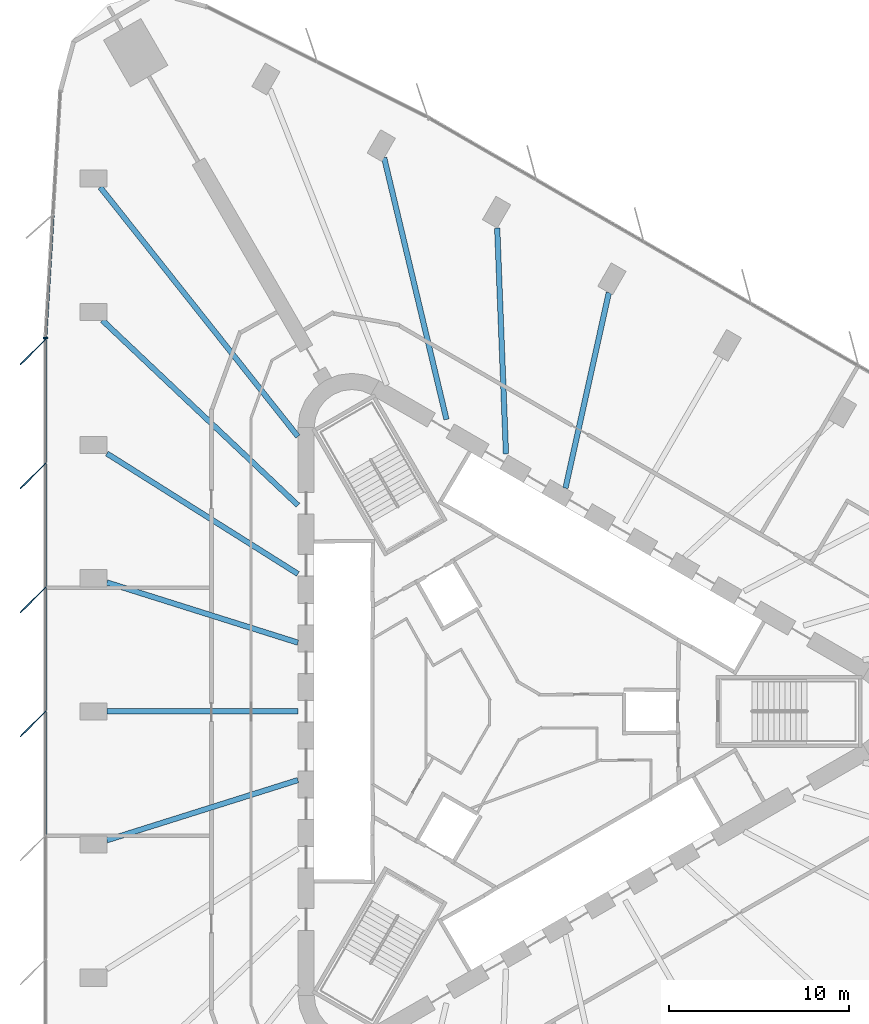
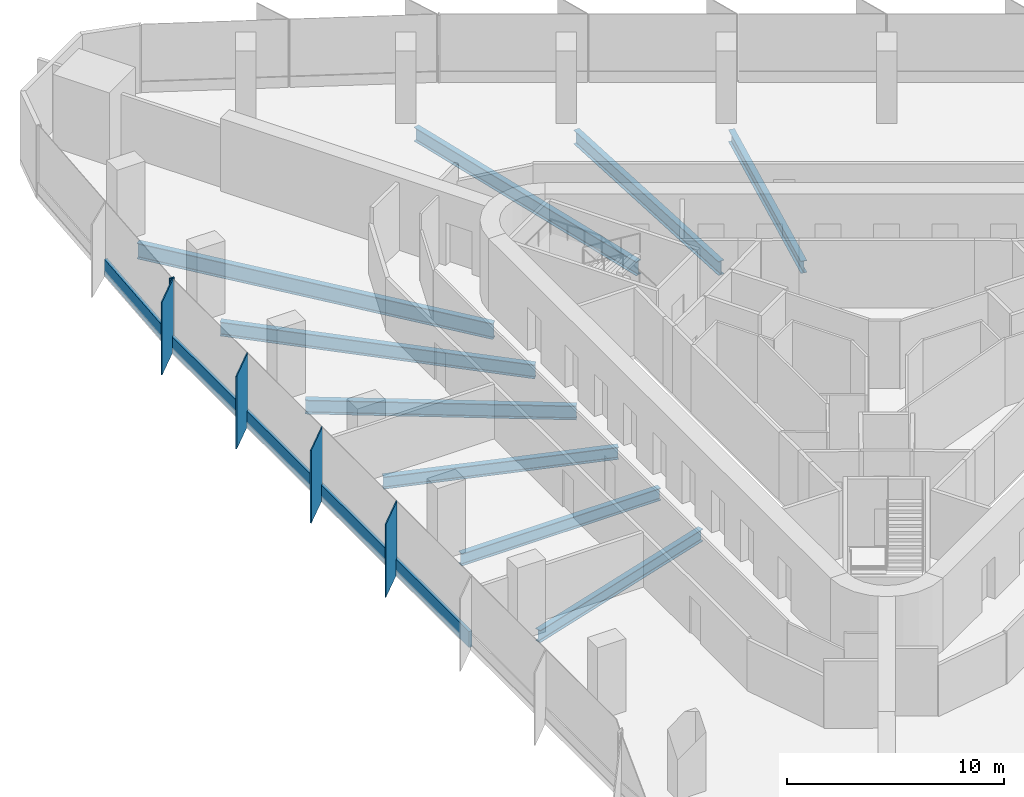
# One storey, part 4 of 14: 10 members, 9 beams, 2 elements without a shape of their own.
"""IFC4 building model written with IfcOpenShell, lengths in metres."""

import ifcopenshell
import ifcopenshell.guid

model = None  # the IFC model being written
_history = None  # IfcOwnerHistory: only IFC2X3 demands one
_inside = {}  # id of a spatial element -> (the spatial element, [elements in it])
_under = {}  # id of a project, library or spatial element -> (it, [spatial elements below it])
_declared = {}  # id of a project -> (the project, [libraries it declares])
_typed = {}  # id of a type object -> (the type object, [elements of that type])
_made_of = {}  # id of a material, layer set ... -> (it, [elements and type objects made of it])


def new_model(schema):
    """Start an empty IFC model of exactly this schema.

    Asked for "IFC4X3", IfcOpenShell would pick the latest addendum, in which some entities
    have other attributes; the version numbers below select the first issue.
    IFC2X3 requires an IfcOwnerHistory on every rooted entity: one is made here for all.
    """
    global model, _history
    if schema == "IFC4X3":
        model = ifcopenshell.file(schema_version=(4, 3, 0, 0))
    else:
        model = ifcopenshell.file(schema=schema)
    _inside.clear()
    _under.clear()
    _declared.clear()
    _typed.clear()
    _made_of.clear()
    _history = None
    if model.schema == "IFC2X3":
        org = make("IfcOrganization", Name="unknown")
        user = make(
            "IfcPersonAndOrganization",
            ThePerson=make("IfcPerson", FamilyName="unknown"),
            TheOrganization=org,
        )
        app = make(
            "IfcApplication",
            ApplicationDeveloper=org,
            Version="unknown",
            ApplicationFullName="unknown",
            ApplicationIdentifier="unknown",
        )
        _history = make(
            "IfcOwnerHistory",
            OwningUser=user,
            OwningApplication=app,
            ChangeAction="ADDED",
            CreationDate=0,
        )
    return model


def make(cls, **values):
    """One entity of the class cls with the attributes given. An attribute that is None is left unset."""
    return model.create_entity(
        cls, **{name: value for name, value in values.items() if value is not None}
    )


def rooted(cls, **values):
    """An entity with a GlobalId (a new one), such as an element, a storey or a relation."""
    return make(cls, GlobalId=ifcopenshell.guid.new(), OwnerHistory=_history, **values)


def si_unit(unit_type, name, prefix=None):
    """IfcSIUnit, for example si_unit("LENGTHUNIT", "METRE", prefix="MILLI")."""
    return make("IfcSIUnit", UnitType=unit_type, Prefix=prefix, Name=name)


def assignment(units):
    """IfcUnitAssignment: the units of a project."""
    return None if units is None else make("IfcUnitAssignment", Units=units)


def point(xyz):
    """IfcCartesianPoint."""
    return None if xyz is None else make("IfcCartesianPoint", Coordinates=xyz)


def direction(xyz):
    """IfcDirection."""
    return None if xyz is None else make("IfcDirection", DirectionRatios=xyz)


def frame(location, z_axis=None, x_axis=None):
    """IfcAxis2Placement3D, a coordinate frame: its origin and axes. An axis left out is left unset."""
    return make(
        "IfcAxis2Placement3D",
        Location=point(location),
        Axis=direction(z_axis),
        RefDirection=direction(x_axis),
    )


def frame_2d(location, x_axis=None):
    """IfcAxis2Placement2D, a coordinate frame in the plane: its origin and x axis."""
    return make(
        "IfcAxis2Placement2D", Location=point(location), RefDirection=direction(x_axis)
    )


def origin():
    """The frame at (0, 0, 0) with its axes left unset."""
    return frame((0.0, 0.0, 0.0))


def origin_2d():
    """The frame at (0, 0) in the plane with its x axis left unset."""
    return frame_2d((0.0, 0.0))


def place(relative_to, where):
    """IfcLocalPlacement: puts the frame where relative to a parent placement (None: the world)."""
    return make(
        "IfcLocalPlacement", PlacementRelTo=relative_to, RelativePlacement=where
    )


def context(
    kind, dimensions, precision=None, world=None, true_north=None, identifier=None
):
    """IfcGeometricRepresentationContext, for example the 3D "Model" context."""
    return make(
        "IfcGeometricRepresentationContext",
        ContextIdentifier=identifier,
        ContextType=kind,
        CoordinateSpaceDimension=dimensions,
        Precision=precision,
        WorldCoordinateSystem=world,
        TrueNorth=true_north,
    )


def subcontext(parent, identifier, kind, view, scale=None):
    """IfcGeometricRepresentationSubContext, for example "Body" below "Model"."""
    return make(
        "IfcGeometricRepresentationSubContext",
        ContextIdentifier=identifier,
        ContextType=kind,
        ParentContext=parent,
        TargetScale=scale,
        TargetView=view,
    )


def project(units=None, contexts=None):
    """IfcProject with its units and contexts."""
    return rooted(
        "IfcProject",
        Name="project",
        RepresentationContexts=contexts,
        UnitsInContext=assignment(units),
    )


def spatial(cls, under=None, at=None, **own):
    """A site, building, storey or space (cls), placed at a placement, below another one or the project."""
    s = rooted(cls, ObjectPlacement=at, **own)
    if under is not None:
        _under.setdefault(under.id(), (under, []))[1].append(s)
    return s


def profile(cls, at=None, kind="AREA", **sizes):
    """A parametric profile (cls). Its sizes go by their IFC names, for example OverallWidth=200.0."""
    return make(cls, ProfileType=kind, Position=at, **sizes)


def rectangle(**sizes):
    """IfcRectangleProfileDef."""
    return profile("IfcRectangleProfileDef", **sizes)


def i_section(**sizes):
    """IfcIShapeProfileDef."""
    return profile("IfcIShapeProfileDef", **sizes)


def extrude(swept, where, along, depth):
    """IfcExtrudedAreaSolid: the profile swept, set in the frame where, extruded along a direction by depth."""
    return make(
        "IfcExtrudedAreaSolid",
        SweptArea=swept,
        Position=where,
        ExtrudedDirection=direction(along),
        Depth=depth,
    )


def shape(context_of_items, identifier, shape_type, items):
    """IfcShapeRepresentation: the items that make up one representation, for example the "Body"."""
    return make(
        "IfcShapeRepresentation",
        ContextOfItems=context_of_items,
        RepresentationIdentifier=identifier,
        RepresentationType=shape_type,
        Items=items,
    )


def material(Name=None, Category=None):
    """IfcMaterial."""
    return make("IfcMaterial", Name=Name, Category=Category)


def material_profile(
    of_material, cross_section, Name=None, Category=None, Priority=None
):
    """IfcMaterialProfile: a cross section and its material."""
    return make(
        "IfcMaterialProfile",
        Name=Name,
        Material=of_material,
        Profile=cross_section,
        Priority=Priority,
        Category=Category,
    )


def profile_set(profiles, Name=None, composite=None):
    """IfcMaterialProfileSet."""
    return make(
        "IfcMaterialProfileSet",
        Name=Name,
        MaterialProfiles=profiles,
        CompositeProfile=composite,
    )


def made_of(thing, what):
    """Note that an element or type object is made of a material, layer set ...; save() writes the relation."""
    if what is not None:
        _made_of.setdefault(what.id(), (what, []))[1].append(thing)
    return thing


def type_object(cls, material=None, **own):
    """A type object (cls), such as IfcWallType, which elements share."""
    return made_of(rooted(cls, **own), material)


def element(
    cls,
    number,
    at=None,
    inside=None,
    cuts=None,
    type_object=None,
    material=None,
    context=None,
    identifier="Body",
    shape_type=None,
    held_by="IfcProductDefinitionShape",
    body=None,
    shapes=None,
    **own,
):
    """One element of the class cls, such as IfcWall. Its Tag is "e" and its number.

    at: its placement. inside: the storey or other place that contains it. cuts: it is an
    opening in that element (IfcRelVoidsElement). A single representation is given by context,
    identifier, shape_type and body (its items); several are given by shapes. held_by: the class
    of the entity that holds the representations. save() writes the other relations.
    """
    e = rooted(cls, Tag="e%d" % number, ObjectPlacement=at, **own)
    if body is not None:
        shapes = [shape(context, identifier, shape_type, body)]
    if shapes is not None:
        e.Representation = make(held_by, Representations=shapes)
    if inside is not None:
        _inside.setdefault(inside.id(), (inside, []))[1].append(e)
    if cuts is not None:
        rooted(
            "IfcRelVoidsElement", RelatingBuildingElement=cuts, RelatedOpeningElement=e
        )
    if type_object is not None:
        _typed.setdefault(type_object.id(), (type_object, []))[1].append(e)
    return made_of(e, material)


def aggregate(whole, parts):
    """IfcRelAggregates: a whole, such as a stair, and the parts it consists of."""
    return rooted("IfcRelAggregates", RelatingObject=whole, RelatedObjects=parts)


def save(model, path):
    """Write the relations noted so far, then the file.

    IfcRelAggregates (storeys below a building ...), IfcRelContainedInSpatialStructure (elements
    in a storey), IfcRelDefinesByType, IfcRelAssociatesMaterial and IfcRelDeclares: one each for
    every whole, place, type object, material and project.
    """
    for whole, parts in _under.values():
        aggregate(whole, parts)
    for where, things in _inside.values():
        rooted(
            "IfcRelContainedInSpatialStructure",
            RelatedElements=things,
            RelatingStructure=where,
        )
    for kind, things in _typed.values():
        rooted("IfcRelDefinesByType", RelatedObjects=things, RelatingType=kind)
    for what, things in _made_of.values():
        rooted("IfcRelAssociatesMaterial", RelatedObjects=things, RelatingMaterial=what)
    for by, libraries in _declared.values():
        rooted("IfcRelDeclares", RelatingContext=by, RelatedDefinitions=libraries)
    model.write(path)


model = new_model("IFC4")

# Units and contexts
model_context = context("Model", 3, precision=1e-05, world=origin(), true_north=direction((0.0, 1.0)))
body_context = subcontext(model_context, "Body", "Model", "MODEL_VIEW")
ifc_project = project(units=[si_unit("LENGTHUNIT", "METRE"), si_unit("AREAUNIT", "SQUARE_METRE"), si_unit("VOLUMEUNIT", "CUBIC_METRE"), si_unit("PLANEANGLEUNIT", "RADIAN"), si_unit("MASSUNIT", "GRAM", prefix="KILO")], contexts=[model_context])

# Site, building, storey
site_placement = place(None, origin())
site = spatial("IfcSite", under=ifc_project, at=site_placement, CompositionType="ELEMENT")
building_placement = place(site_placement, origin())
building = spatial("IfcBuilding", under=site, at=building_placement, Name="Tanit Gate Tower", CompositionType="ELEMENT")
storey_placement = place(building_placement, frame((0.0, 0.0, 49.60009765625)))
storey = spatial("IfcBuildingStorey", under=building, at=storey_placement, Name="L08", CompositionType="ELEMENT", Elevation=49.60009765625)

# Curtain wall, members
ifc_material_1 = material(Name="Aluminium bronze anodised and glass", Category="aluminium")
curtain_wall_type = type_object("IfcCurtainWallType", Name="Curtain wall typical low", PredefinedType="NOTDEFINED", material=ifc_material_1)
curtain_wall_1_placement = place(storey_placement, origin())
curtain_wall_1 = element("IfcCurtainWall", 1, at=curtain_wall_1_placement, inside=storey, type_object=curtain_wall_type, Name="Curtain wall L08 W2", PredefinedType="NOTDEFINED")
ifc_material_2 = material(Name="Aluminium bronze anodised", Category="aluminium")
ifc_material_profile_1 = material_profile(ifc_material_2, rectangle(XDim=2.0, YDim=0.055908203125, at=origin_2d()), Name="56x2000 bronze fin mullion")
ifc_profile_set_1 = profile_set([ifc_material_profile_1], Name="Aluminium bronze anodised")
member_type_1 = type_object("IfcMemberType", Name="FIN MULLION 56x2000 bronze", PredefinedType="MULLION", material=ifc_profile_set_1)
member_1_placement = place(storey_placement, frame((-26.80078125, 19.9541015625, -0.300048828125), z_axis=(0.0, 0.0, 1.0), x_axis=(0.707057749571, 0.707155809403, 0.0)))
member_1 = element("IfcMember", 2, at=member_1_placement, type_object=member_type_1, Name="Fin mullion L08 W2.1", PredefinedType="MULLION", context=body_context, shape_type="SweptSolid", body=[
    extrude(rectangle(XDim=2.0, YDim=0.055908203125, at=origin_2d()), origin(), (0.0, 0.0, 1.0), 4.099853515625),
])
member_2_placement = place(storey_placement, frame((-26.800537109375, 13.072265625, -0.300048828125), z_axis=(0.0, 0.0, 1.0), x_axis=(0.707057749571, 0.707155809403, 0.0)))
member_2 = element("IfcMember", 3, at=member_2_placement, type_object=member_type_1, Name="Fin mullion L08 W2.2", PredefinedType="MULLION", context=body_context, shape_type="SweptSolid", body=[
    extrude(rectangle(XDim=2.0, YDim=0.055908203125, at=origin_2d()), origin(), (0.0, 0.0, 1.0), 4.099853515625),
])
member_3_placement = place(storey_placement, frame((-26.800048828125, 6.190673828125, -0.300048828125), z_axis=(0.0, 0.0, 1.0), x_axis=(0.707057749571, 0.707155809403, 0.0)))
member_3 = element("IfcMember", 4, at=member_3_placement, type_object=member_type_1, Name="Fin mullion L08 W2.3", PredefinedType="MULLION", context=body_context, shape_type="SweptSolid", body=[
    extrude(rectangle(XDim=2.0, YDim=0.055908203125, at=origin_2d()), origin(), (0.0, 0.0, 1.0), 4.099853515625),
])
member_4_placement = place(storey_placement, frame((-26.799560546875, -0.691162109375, -0.300048828125), z_axis=(0.0, 0.0, 1.0), x_axis=(0.707057749571, 0.707155809403, 0.0)))
member_4 = element("IfcMember", 5, at=member_4_placement, type_object=member_type_1, Name="Fin mullion L08 W2.4", PredefinedType="MULLION", context=body_context, shape_type="SweptSolid", body=[
    extrude(rectangle(XDim=2.0, YDim=0.055908203125, at=origin_2d()), origin(), (0.0, 0.0, 1.0), 4.099853515625),
])

# Curtain wall, member
curtain_wall_2_placement = place(storey_placement, origin())
curtain_wall_2 = element("IfcCurtainWall", 6, at=curtain_wall_2_placement, inside=storey, type_object=curtain_wall_type, Name="Curtain wall L08 W1", PredefinedType="NOTDEFINED")
ifc_material_3 = material(Name="Aluminium bronze anodised", Category="aluminium")
ifc_material_profile_2 = material_profile(ifc_material_3, rectangle(XDim=0.239990234375, YDim=0.080078125, at=origin_2d()), Name="80x240 bronze mullion")
ifc_profile_set_2 = profile_set([ifc_material_profile_2], Name="Aluminium bronze anodised")
member_type_2 = type_object("IfcMemberType", Name="Mullion 80x240 typical low", PredefinedType="MULLION", material=ifc_profile_set_2)
member_5_placement = place(storey_placement, frame((-26.107421875, 20.72509765625, -0.300048828125), z_axis=(0.0, 0.0, 1.0), x_axis=(0.998209687351, -0.059811538009, 0.0)))
member_5 = element("IfcMember", 7, at=member_5_placement, type_object=member_type_2, Name="Mullion L08 W1.3", PredefinedType="MULLION", context=body_context, shape_type="SweptSolid", body=[
    extrude(rectangle(XDim=0.239990234375, YDim=0.080078125, at=origin_2d()), origin(), (0.0, 0.0, 1.0), 4.099853515625),
])

# Beams
ifc_material_4 = material(Name="Steel S355", Category="steel")
ifc_material_profile_3 = material_profile(ifc_material_4, i_section(OverallWidth=0.300048828125, OverallDepth=0.68994140625, WebThickness=0.014404296875, FlangeThickness=0.027099609375, FilletRadius=0.027099609375, at=origin_2d()), Name="HEA 700")
ifc_profile_set_3 = profile_set([ifc_material_profile_3], Name="Steel S355")
beam_type_1 = type_object("IfcBeamType", Name="RADIAL GIRDER HEA 700 S355", PredefinedType="BEAM", material=ifc_profile_set_3)
for number, where, z_axis, x_axis, name in (
    (8, (-22.703369140625, -7.155029296875, -0.64501953125), (0.953756118735, 0.300581546298, 0.0), (-0.300581546298, 0.953756118735, 0.0), "RADIAL GIRDER"),
    (9, (5.1552734375, 23.2392578125, -0.64501953125), (-0.216567644873, -0.976267614537, 0.0), (0.976267614537, -0.216567644873, 0.0), "RADIAL GIRDER"),
    (10, (-22.703369140625, 7.155029296875, -0.64501953125), (0.953756118735, -0.300581546298, 0.0), (0.300581546298, 0.953756118735, 0.0), "RADIAL GIRDER"),
):
    element("IfcBeam", number, at=place(storey_placement, frame(where, z_axis=z_axis, x_axis=x_axis)), inside=storey, type_object=beam_type_1, Name=name, PredefinedType="BEAM", context=body_context, shape_type="SweptSolid", body=[
        extrude(i_section(OverallWidth=0.300048828125, OverallDepth=0.68994140625, WebThickness=0.014404296875, FlangeThickness=0.027099609375, FilletRadius=0.027099609375, at=origin_2d()), origin(), (0.0, 0.0, 1.0), 11.115234375),
    ])
beam_1_placement = place(storey_placement, frame((-22.703369140625, 0.0, -0.64501953125), z_axis=(1.0, 0.0, 0.0), x_axis=(0.0, 1.0, 0.0)))
element("IfcBeam", 11, at=beam_1_placement, inside=storey, type_object=beam_type_1, Name="RADIAL GIRDER", PredefinedType="BEAM", context=body_context, shape_type="SweptSolid", body=[
    extrude(i_section(OverallWidth=0.300048828125, OverallDepth=0.68994140625, WebThickness=0.014404296875, FlangeThickness=0.027099609375, FilletRadius=0.027099609375, at=origin_2d()), origin(), (0.0, 0.0, 1.0), 10.601318359375),
])
ifc_material_5 = material(Name="Steel S355", Category="steel")
ifc_material_profile_4 = material_profile(ifc_material_5, i_section(OverallWidth=0.300048828125, OverallDepth=0.7900390625, WebThickness=0.014892578125, FlangeThickness=0.028076171875, FilletRadius=0.030029296875, at=origin_2d()), Name="HEA 800")
ifc_profile_set_4 = profile_set([ifc_material_profile_4], Name="Steel S355")
beam_type_2 = type_object("IfcBeamType", Name="RADIAL GIRDER HEA 800 S355", PredefinedType="BEAM", material=ifc_profile_set_4)
beam_2_placement = place(storey_placement, frame((-1.041259765625, 26.81689453125, -0.695068359375), z_axis=(0.038788513733, -0.99924744243, 0.0), x_axis=(0.99924744243, 0.038788513733, 0.0)))
element("IfcBeam", 12, at=beam_2_placement, inside=storey, type_object=beam_type_2, Name="RADIAL GIRDER", PredefinedType="BEAM", context=body_context, shape_type="SweptSolid", body=[
    extrude(i_section(OverallWidth=0.300048828125, OverallDepth=0.7900390625, WebThickness=0.014892578125, FlangeThickness=0.028076171875, FilletRadius=0.030029296875, at=origin_2d()), origin(), (0.0, 0.0, 1.0), 12.53173828125),
])
beam_3_placement = place(storey_placement, frame((-7.316650390625, 30.725830078125, -0.695068359375), z_axis=(0.231658845557, -0.972797090495, 0.0), x_axis=(0.972797090495, 0.231658845557, 0.0)))
element("IfcBeam", 13, at=beam_3_placement, inside=storey, type_object=beam_type_2, Name="RADIAL GIRDER", PredefinedType="BEAM", context=body_context, shape_type="SweptSolid", body=[
    extrude(i_section(OverallWidth=0.300048828125, OverallDepth=0.7900390625, WebThickness=0.014892578125, FlangeThickness=0.028076171875, FilletRadius=0.030029296875, at=origin_2d()), origin(), (0.0, 0.0, 1.0), 14.930419921875),
])
beam_4_placement = place(storey_placement, frame((-22.950927734375, 21.69921875, -0.695068359375), z_axis=(0.726639827007, -0.687018603683, 0.0), x_axis=(0.687018603683, 0.726639827007, 0.0)))
element("IfcBeam", 14, at=beam_4_placement, inside=storey, type_object=beam_type_2, Name="RADIAL GIRDER", PredefinedType="BEAM", context=body_context, shape_type="SweptSolid", body=[
    extrude(i_section(OverallWidth=0.300048828125, OverallDepth=0.7900390625, WebThickness=0.014892578125, FlangeThickness=0.028076171875, FilletRadius=0.030029296875, at=origin_2d()), origin(), (0.0, 0.0, 1.0), 14.93017578125),
])
beam_5_placement = place(storey_placement, frame((-22.703369140625, 14.310302734375, -0.695068359375), z_axis=(0.845964004255, -0.533240005537, 0.0), x_axis=(0.533240005537, 0.845964004255, 0.0)))
element("IfcBeam", 15, at=beam_5_placement, inside=storey, type_object=beam_type_2, Name="RADIAL GIRDER", PredefinedType="BEAM", context=body_context, shape_type="SweptSolid", body=[
    extrude(i_section(OverallWidth=0.300048828125, OverallDepth=0.7900390625, WebThickness=0.014892578125, FlangeThickness=0.028076171875, FilletRadius=0.030029296875, at=origin_2d()), origin(), (0.0, 0.0, 1.0), 12.53173828125),
])
ifc_material_6 = material(Name="Steel S355", Category="steel")
ifc_material_profile_5 = material_profile(ifc_material_6, i_section(OverallWidth=0.300048828125, OverallDepth=0.889892578125, WebThickness=0.01611328125, FlangeThickness=0.030029296875, FilletRadius=0.030029296875, at=origin_2d()), Name="HEA 900")
ifc_profile_set_5 = profile_set([ifc_material_profile_5], Name="Steel S355")
beam_type_3 = type_object("IfcBeamType", Name="RADIAL GIRDER HEA 900 S355", PredefinedType="BEAM", material=ifc_profile_set_5)
beam_6_placement = place(storey_placement, frame((-23.07666015625, 29.0908203125, -0.7451171875), z_axis=(0.621472845829, -0.783435703742, 0.0), x_axis=(0.783435703742, 0.621472845829, 0.0)))
element("IfcBeam", 16, at=beam_6_placement, inside=storey, type_object=beam_type_3, Name="RADIAL GIRDER", PredefinedType="BEAM", context=body_context, shape_type="SweptSolid", body=[
    extrude(i_section(OverallWidth=0.300048828125, OverallDepth=0.889892578125, WebThickness=0.01611328125, FlangeThickness=0.030029296875, FilletRadius=0.030029296875, at=origin_2d()), origin(), (0.0, 0.0, 1.0), 17.658935546875),
])

# Member
ifc_material_7 = material(Name="Aluminium bronze anodised", Category="aluminium")
ifc_material_profile_6 = material_profile(ifc_material_7, rectangle(XDim=0.159912109375, YDim=0.89990234375, at=origin_2d()), Name="160x900 bronze transom")
ifc_profile_set_6 = profile_set([ifc_material_profile_6], Name="Aluminium bronze anodised")
member_type_3 = type_object("IfcMemberType", Name="Transom 160x900 typical low", PredefinedType="USERDEFINED", material=ifc_profile_set_6)
member_6_placement = place(storey_placement, frame((-25.699462890625, 27.53369140625, 0.14990234375), z_axis=(-0.059804752776, -0.998210093891, 0.0), x_axis=(0.998210093891, -0.059804752776, 0.0)))
member_6 = element("IfcMember", 17, at=member_6_placement, type_object=member_type_3, Name="Transom L08 W1.2", ObjectType="TRANSOM", PredefinedType="USERDEFINED", context=body_context, shape_type="SweptSolid", body=[
    extrude(rectangle(XDim=0.159912109375, YDim=0.89990234375, at=origin_2d()), origin(), (0.0, 0.0, 1.0), 6.78076171875),
])

aggregate(curtain_wall_2, [member_5, member_6])

member_7_placement = place(storey_placement, frame((-26.10986328125, 20.605224609375, 0.14990234375), z_axis=(7.1787509e-05, -0.999999997423, 0.0), x_axis=(0.999999997423, 7.1787509e-05, 0.0)))
member_7 = element("IfcMember", 18, at=member_7_placement, type_object=member_type_3, Name="Transom L08 W2.1", ObjectType="TRANSOM", PredefinedType="USERDEFINED", context=body_context, shape_type="SweptSolid", body=[
    extrude(rectangle(XDim=0.159912109375, YDim=0.89990234375, at=origin_2d()), origin(), (0.0, 0.0, 1.0), 6.8017578125),
])

member_8_placement = place(storey_placement, frame((-26.109375, 13.723388671875, 0.14990234375), z_axis=(7.1790086e-05, -0.999999997423, 0.0), x_axis=(0.999999997423, 7.1790086e-05, 0.0)))
member_8 = element("IfcMember", 19, at=member_8_placement, type_object=member_type_3, Name="Transom L08 W2.2", ObjectType="TRANSOM", PredefinedType="USERDEFINED", context=body_context, shape_type="SweptSolid", body=[
    extrude(rectangle(XDim=0.159912109375, YDim=0.89990234375, at=origin_2d()), origin(), (0.0, 0.0, 1.0), 6.801513671875),
])

member_9_placement = place(storey_placement, frame((-26.10888671875, 6.841796875, 0.14990234375), z_axis=(7.1787509e-05, -0.999999997423, 0.0), x_axis=(0.999999997423, 7.1787509e-05, 0.0)))
member_9 = element("IfcMember", 20, at=member_9_placement, type_object=member_type_3, Name="Transom L08 W2.3", ObjectType="TRANSOM", PredefinedType="USERDEFINED", context=body_context, shape_type="SweptSolid", body=[
    extrude(rectangle(XDim=0.159912109375, YDim=0.89990234375, at=origin_2d()), origin(), (0.0, 0.0, 1.0), 6.8017578125),
])

member_10_placement = place(storey_placement, frame((-26.1083984375, -0.0400390625, 0.14990234375), z_axis=(7.1787509e-05, -0.999999997423, 0.0), x_axis=(0.999999997423, 7.1787509e-05, 0.0)))
member_10 = element("IfcMember", 21, at=member_10_placement, type_object=member_type_3, Name="Transom L08 W2.4", ObjectType="TRANSOM", PredefinedType="USERDEFINED", context=body_context, shape_type="SweptSolid", body=[
    extrude(rectangle(XDim=0.159912109375, YDim=0.89990234375, at=origin_2d()), origin(), (0.0, 0.0, 1.0), 6.8017578125),
])

aggregate(curtain_wall_1, [member_1, member_2, member_3, member_4, member_7, member_8, member_9, member_10])

save(model, "model.ifc")
